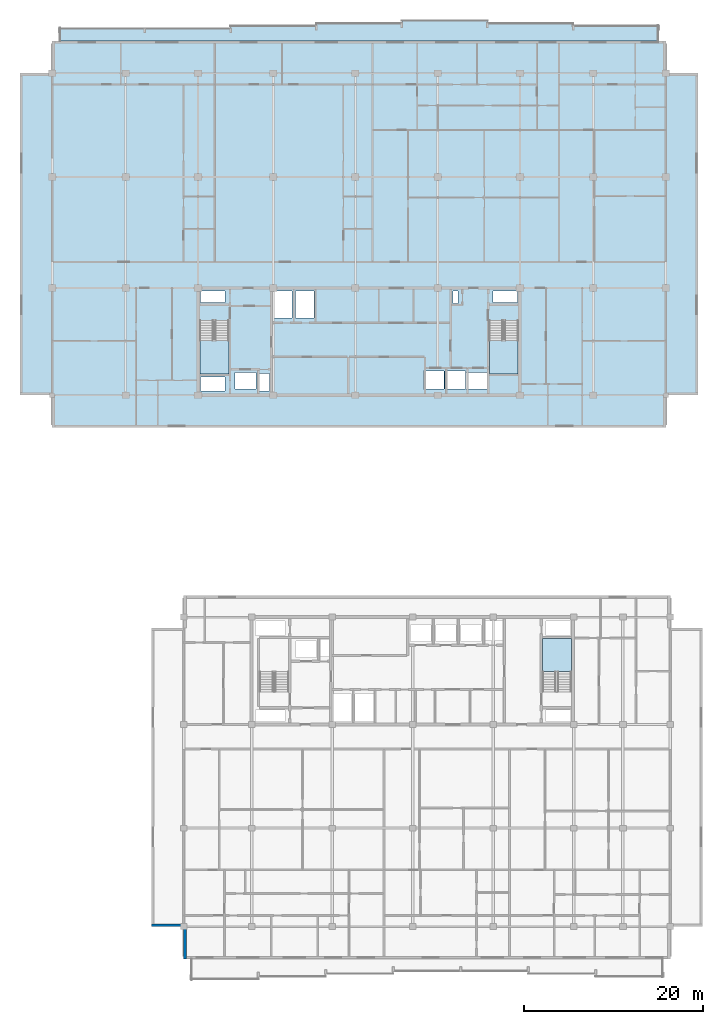
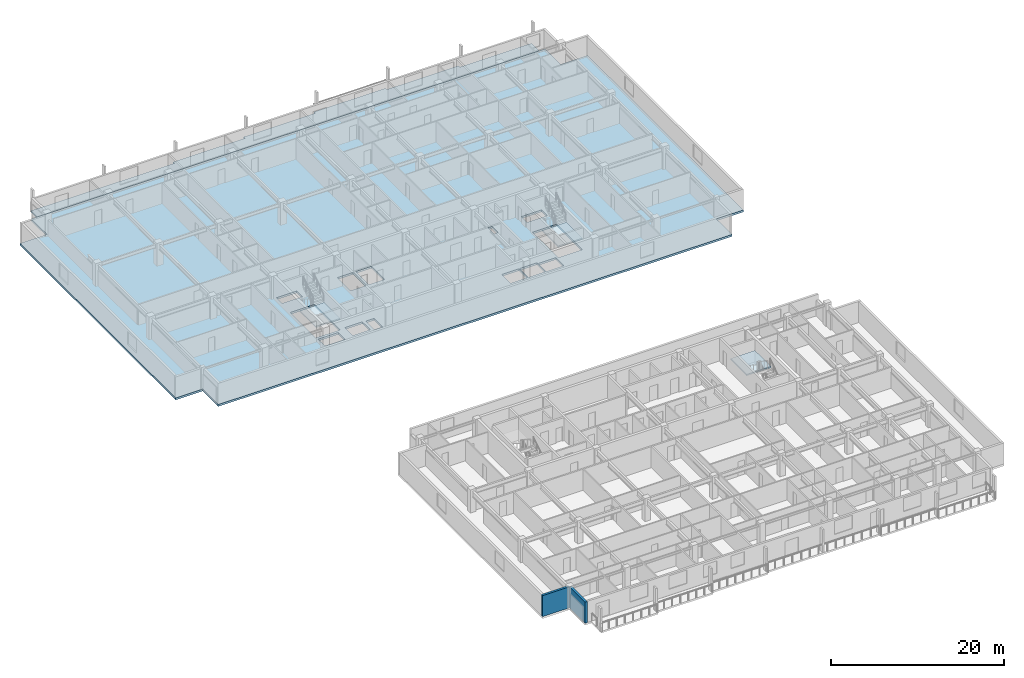
# One storey, part 3 of 22: 5 slabs, 2 walls, 3 elements without a shape of their own.
"""IFC4 building model written with IfcOpenShell, lengths in metres."""

from ifc_helpers import new_model, si_unit, direction, frame, frame_2d, origin, place, context, subcontext, project, spatial, polyline, rectangle, outline, extrude, material, layer, layer_set, type_object, element, aggregate, save


model = new_model("IFC4")

# Units and contexts
model_context = context("Model", 3, precision=1e-05, world=origin(), true_north=direction((0.0, 1.0)))
body_context = subcontext(model_context, "Body", "Model", "MODEL_VIEW")
ifc_project = project(units=[si_unit("LENGTHUNIT", "METRE"), si_unit("AREAUNIT", "SQUARE_METRE"), si_unit("VOLUMEUNIT", "CUBIC_METRE"), si_unit("PLANEANGLEUNIT", "RADIAN"), si_unit("MASSUNIT", "GRAM", prefix="KILO")], contexts=[model_context])

# Site, building, storey
site_placement = place(None, origin())
site = spatial("IfcSite", under=ifc_project, at=site_placement, CompositionType="ELEMENT")
building_placement = place(site_placement, origin())
building = spatial("IfcBuilding", under=site, at=building_placement, Name="Korimba Cascade Residences", CompositionType="ELEMENT")
storey_placement = place(building_placement, frame((0.0, 0.0, 197.85009765625)))
storey = spatial("IfcBuildingStorey", under=building, at=storey_placement, Name="L57", CompositionType="ELEMENT", Elevation=197.85009765625)

# Stair, slab
ifc_material_1 = material(Name="Concrete C50/60", Category="concrete")
stair_type_1 = type_object("IfcStairType", Name="STR-W1-18R-1806", PredefinedType="HALF_TURN_STAIR", material=ifc_material_1)
stair_1_placement = place(storey_placement, origin())
stair_1 = element("IfcStair", 1, at=stair_1_placement, inside=storey, type_object=stair_type_1, Name="L57 Tower 1 West Fire Stair ST-W1", PredefinedType="HALF_TURN_STAIR")
ifc_layer_1 = layer(ifc_material_1, 0.199951171875)
ifc_layer_set_1 = layer_set([ifc_layer_1], Name="Concrete C50/60")
slab_type_1 = type_object("IfcSlabType", Name="SLB-LND-220", PredefinedType="LANDING", material=ifc_layer_set_1)
slab_1_placement = place(storey_placement, frame((0.0, 0.0, 1.4248046875)))
slab_1 = element("IfcSlab", 2, at=slab_1_placement, type_object=slab_type_1, Name="ST-W1 landing 1", PredefinedType="LANDING", context=body_context, shape_type="SweptSolid", body=[
    extrude(outline(polyline([(76.300048828125, 61.31005859375), (76.300048828125, 57.60009765625), (79.5400390625, 57.60009765625), (79.5400390625, 61.31005859375), (76.300048828125, 61.31005859375)])), origin(), (0.0, 0.0, 1.0), 0.2001953125),
])
aggregate(stair_1, [slab_1])

stair_type_2 = type_object("IfcStairType", Name="STR-W2-18R-1806", PredefinedType="HALF_TURN_STAIR", material=ifc_material_1)
stair_2_placement = place(storey_placement, origin())
stair_2 = element("IfcStair", 3, at=stair_2_placement, inside=storey, type_object=stair_type_2, Name="L57 Tower 1 East Fire Stair ST-W2", PredefinedType="HALF_TURN_STAIR")
slab_2_placement = place(storey_placement, frame((0.0, 0.0, 1.4248046875)))
slab_2 = element("IfcSlab", 4, at=slab_2_placement, type_object=slab_type_1, Name="ST-W2 landing 1", PredefinedType="LANDING", context=body_context, shape_type="SweptSolid", body=[
    extrude(outline(polyline([(108.659912109375, 61.31005859375), (108.659912109375, 57.60009765625), (111.89990234375, 57.60009765625), (111.89990234375, 61.31005859375), (108.659912109375, 61.31005859375)])), origin(), (0.0, 0.0, 1.0), 0.2001953125),
])
aggregate(stair_2, [slab_2])

stair_type_3 = type_object("IfcStairType", Name="STR-E2-18R-1806", PredefinedType="HALF_TURN_STAIR", material=ifc_material_1)
stair_3_placement = place(storey_placement, origin())
stair_3 = element("IfcStair", 5, at=stair_3_placement, inside=storey, type_object=stair_type_3, Name="L57 Tower 2 East Fire Stair ST-E2", PredefinedType="HALF_TURN_STAIR")
slab_3_placement = place(storey_placement, frame((0.0, 0.0, 1.4248046875)))
slab_3 = element("IfcSlab", 6, at=slab_3_placement, type_object=slab_type_1, Name="ST-E2 landing 1", PredefinedType="LANDING", context=body_context, shape_type="SweptSolid", body=[
    extrude(outline(polyline([(117.840087890625, 24.2900390625), (117.840087890625, 28.0), (114.60009765625, 28.0), (114.60009765625, 24.2900390625), (117.840087890625, 24.2900390625)])), origin(), (0.0, 0.0, 1.0), 0.2001953125),
])
aggregate(stair_3, [slab_3])

# Slabs
ifc_material_2 = material(Name="Precast concrete C40/50", Category="concrete")
ifc_layer_2 = layer(ifc_material_2, 0.239990234375)
ifc_layer_set_2 = layer_set([ifc_layer_2], Name="Precast concrete C40/50")
slab_type_2 = type_object("IfcSlabType", Name="SLB-LOG-240", PredefinedType="FLOOR", material=ifc_layer_set_2)
slab_4_placement = place(storey_placement, frame((0.0, 0.0, -0.239990234375)))
element("IfcSlab", 7, at=slab_4_placement, inside=storey, type_object=slab_type_2, Name="L57 Tower 1 North Loggia Slab", PredefinedType="FLOOR", context=body_context, shape_type="SweptSolid", body=[
    extrude(outline(polyline([(60.60009765625, 94.800048828125), (127.60009765625, 94.800048828125), (127.60009765625, 96.550048828125), (118.028564453125, 96.550048828125), (118.028564453125, 96.85009765625), (108.45703125, 96.85009765625), (108.45703125, 97.14990234375), (98.8857421875, 97.14990234375), (98.8857421875, 96.85009765625), (89.314208984375, 96.85009765625), (89.314208984375, 96.550048828125), (79.742919921875, 96.550048828125), (79.742919921875, 96.25), (60.60009765625, 96.25), (60.60009765625, 94.800048828125)])), origin(), (0.0, 0.0, 1.0), 0.239990234375),
])
ifc_layer_3 = layer(ifc_material_1, 0.280029296875)
ifc_layer_set_3 = layer_set([ifc_layer_3], Name="Concrete C50/60")
slab_type_3 = type_object("IfcSlabType", Name="SLB-TYP-280", PredefinedType="FLOOR", material=ifc_layer_set_3)
slab_5_placement = place(storey_placement, frame((0.0, 0.0, -0.280029296875)))
element("IfcSlab", 8, at=slab_5_placement, inside=storey, type_object=slab_type_3, Name="L57 Tower 1 Floor Slab", PredefinedType="FLOOR", context=body_context, shape_type="SweptSolid", body=[
    extrude(outline(polyline([(59.800048828125, 51.60009765625), (128.39990234375, 51.60009765625), (128.39990234375, 55.199951171875), (132.0, 55.199951171875), (132.0, 91.199951171875), (128.39990234375, 91.199951171875), (128.39990234375, 94.800048828125), (59.800048828125, 94.800048828125), (59.800048828125, 91.199951171875), (56.199951171875, 91.199951171875), (56.199951171875, 55.199951171875), (59.800048828125, 55.199951171875), (59.800048828125, 51.60009765625)]), holes=[polyline([(76.300048828125, 63.514892578125), (76.300048828125, 57.60009765625), (79.5400390625, 57.60009765625), (79.5400390625, 63.514892578125), (76.300048828125, 63.514892578125)]), polyline([(108.659912109375, 63.514892578125), (108.659912109375, 57.60009765625), (111.89990234375, 57.60009765625), (111.89990234375, 63.514892578125), (108.659912109375, 63.514892578125)]), polyline([(80.22998046875, 55.8798828125), (82.570068359375, 55.8798828125), (82.570068359375, 57.719970703125), (80.22998046875, 57.719970703125), (80.22998046875, 55.8798828125)]), polyline([(106.080078125, 55.8798828125), (108.419921875, 55.8798828125), (108.419921875, 57.719970703125), (106.080078125, 57.719970703125), (106.080078125, 55.8798828125)]), polyline([(101.304931640625, 55.8798828125), (103.594970703125, 55.8798828125), (103.594970703125, 57.919921875), (101.304931640625, 57.919921875), (101.304931640625, 55.8798828125)]), polyline([(103.705078125, 55.8798828125), (105.9951171875, 55.8798828125), (105.9951171875, 57.919921875), (103.705078125, 57.919921875), (103.705078125, 55.8798828125)]), polyline([(82.97998046875, 55.679931640625), (84.080078125, 55.679931640625), (84.080078125, 57.6201171875), (82.97998046875, 57.6201171875), (82.97998046875, 55.679931640625)]), polyline([(76.39990234375, 65.56005859375), (79.10009765625, 65.56005859375), (79.10009765625, 66.8798828125), (76.39990234375, 66.8798828125), (76.39990234375, 65.56005859375)]), polyline([(76.39990234375, 55.679931640625), (79.10009765625, 55.679931640625), (79.10009765625, 57.239990234375), (76.39990234375, 57.239990234375), (76.39990234375, 55.679931640625)]), polyline([(84.530029296875, 63.820068359375), (86.6201171875, 63.820068359375), (86.6201171875, 66.8798828125), (84.530029296875, 66.8798828125), (84.530029296875, 63.820068359375)]), polyline([(86.97998046875, 63.820068359375), (89.070068359375, 63.820068359375), (89.070068359375, 66.8798828125), (86.97998046875, 66.8798828125), (86.97998046875, 63.820068359375)]), polyline([(104.6201171875, 65.4599609375), (105.179931640625, 65.4599609375), (105.179931640625, 66.8798828125), (104.6201171875, 66.8798828125), (104.6201171875, 65.4599609375)]), polyline([(109.080078125, 65.56005859375), (111.800048828125, 65.56005859375), (111.800048828125, 66.8798828125), (109.080078125, 66.8798828125), (109.080078125, 65.56005859375)])]), origin(), (0.0, 0.0, 1.0), 0.280029296875),
])

# Walls
ifc_layer_4 = layer(ifc_material_2, 0.300048828125)
ifc_layer_set_4 = layer_set([ifc_layer_4], Name="Precast concrete C40/50")
wall_type = type_object("IfcWallType", Name="EW-STONE-300", PredefinedType="STANDARD", material=ifc_layer_set_4)
for number, where, z_axis, x_axis, name in (
    (9, (70.89990234375, -4.050048828125, 0.0), (0.0, 0.0, 1.0), (1.0, 0.0, 0.0), "L57 T2 Perimeter Stone Wall E10"),
    (10, (74.64990234375, -4.199951171875, 0.0), (0.0, 0.0, 1.0), (0.0, -1.0, 0.0), "L57 T2 Perimeter Stone Wall E11"),
):
    element("IfcWall", number, at=place(storey_placement, frame(where, z_axis=z_axis, x_axis=x_axis)), inside=storey, type_object=wall_type, Name=name, PredefinedType="STANDARD", context=body_context, shape_type="SweptSolid", body=[
        extrude(rectangle(XDim=3.60009765625, YDim=0.300048828125, at=frame_2d((1.800048828125, 0.0))), origin(), (0.0, 0.0, 1.0), 2.969970703125),
    ])

save(model, "model.ifc")
